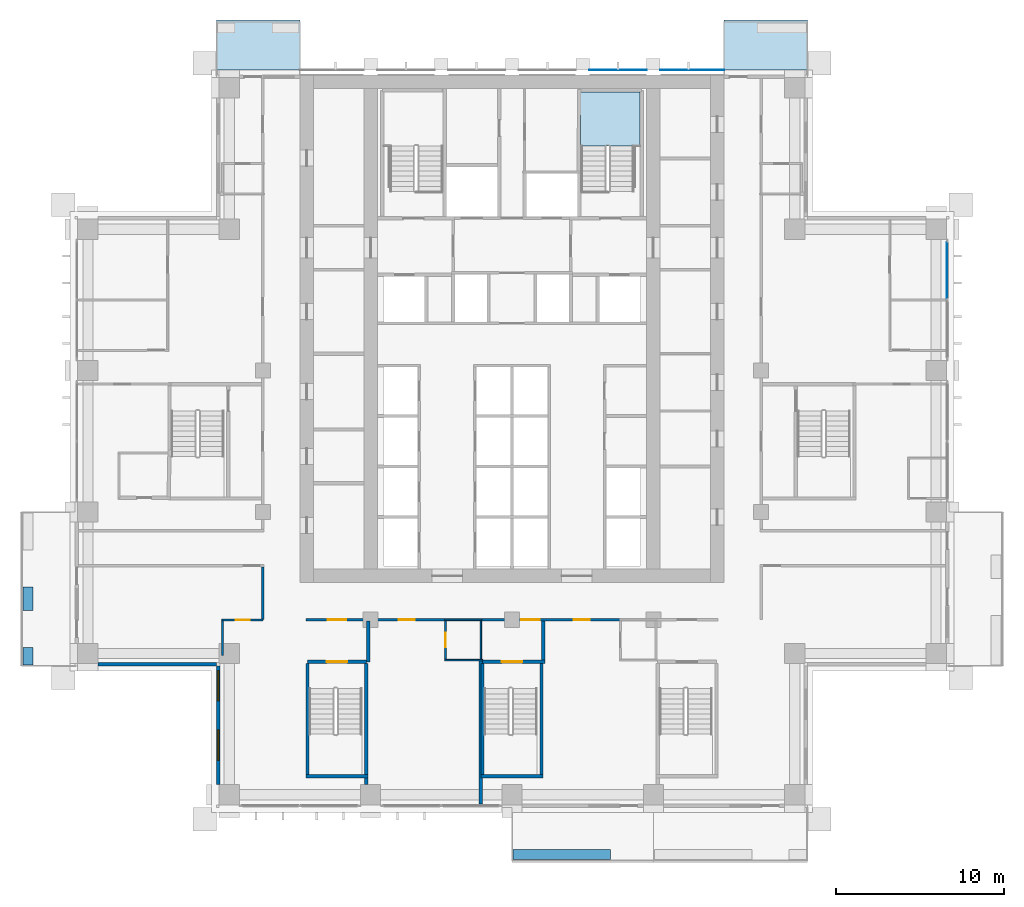
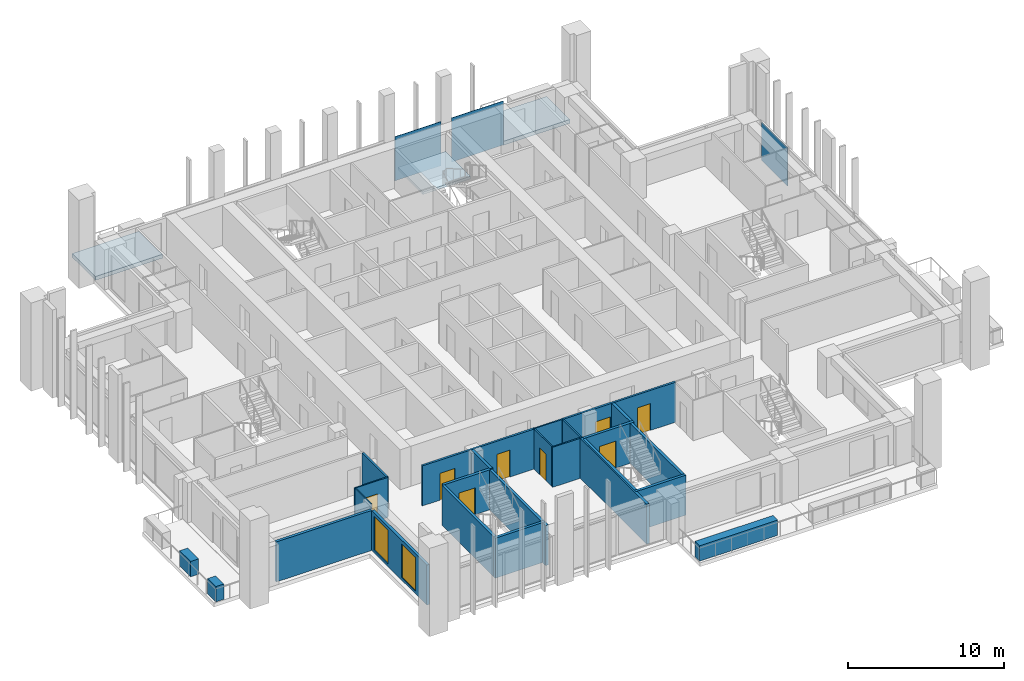
# One storey, part 8 of 19: 25 walls, 8 doors, 3 plates, 3 slabs, 2 windows, 10 openings, 2 elements without a shape of their own.
"""IFC4 building model written with IfcOpenShell, lengths in metres."""

import ifcopenshell
import ifcopenshell.guid

model = None  # the IFC model being written
_history = None  # IfcOwnerHistory: only IFC2X3 demands one
_inside = {}  # id of a spatial element -> (the spatial element, [elements in it])
_under = {}  # id of a project, library or spatial element -> (it, [spatial elements below it])
_declared = {}  # id of a project -> (the project, [libraries it declares])
_typed = {}  # id of a type object -> (the type object, [elements of that type])
_made_of = {}  # id of a material, layer set ... -> (it, [elements and type objects made of it])


def new_model(schema):
    """Start an empty IFC model of exactly this schema.

    Asked for "IFC4X3", IfcOpenShell would pick the latest addendum, in which some entities
    have other attributes; the version numbers below select the first issue.
    IFC2X3 requires an IfcOwnerHistory on every rooted entity: one is made here for all.
    """
    global model, _history
    if schema == "IFC4X3":
        model = ifcopenshell.file(schema_version=(4, 3, 0, 0))
    else:
        model = ifcopenshell.file(schema=schema)
    _inside.clear()
    _under.clear()
    _declared.clear()
    _typed.clear()
    _made_of.clear()
    _history = None
    if model.schema == "IFC2X3":
        org = make("IfcOrganization", Name="unknown")
        user = make(
            "IfcPersonAndOrganization",
            ThePerson=make("IfcPerson", FamilyName="unknown"),
            TheOrganization=org,
        )
        app = make(
            "IfcApplication",
            ApplicationDeveloper=org,
            Version="unknown",
            ApplicationFullName="unknown",
            ApplicationIdentifier="unknown",
        )
        _history = make(
            "IfcOwnerHistory",
            OwningUser=user,
            OwningApplication=app,
            ChangeAction="ADDED",
            CreationDate=0,
        )
    return model


def make(cls, **values):
    """One entity of the class cls with the attributes given. An attribute that is None is left unset."""
    return model.create_entity(
        cls, **{name: value for name, value in values.items() if value is not None}
    )


def rooted(cls, **values):
    """An entity with a GlobalId (a new one), such as an element, a storey or a relation."""
    return make(cls, GlobalId=ifcopenshell.guid.new(), OwnerHistory=_history, **values)


def si_unit(unit_type, name, prefix=None):
    """IfcSIUnit, for example si_unit("LENGTHUNIT", "METRE", prefix="MILLI")."""
    return make("IfcSIUnit", UnitType=unit_type, Prefix=prefix, Name=name)


def assignment(units):
    """IfcUnitAssignment: the units of a project."""
    return None if units is None else make("IfcUnitAssignment", Units=units)


def point(xyz):
    """IfcCartesianPoint."""
    return None if xyz is None else make("IfcCartesianPoint", Coordinates=xyz)


def direction(xyz):
    """IfcDirection."""
    return None if xyz is None else make("IfcDirection", DirectionRatios=xyz)


def frame(location, z_axis=None, x_axis=None):
    """IfcAxis2Placement3D, a coordinate frame: its origin and axes. An axis left out is left unset."""
    return make(
        "IfcAxis2Placement3D",
        Location=point(location),
        Axis=direction(z_axis),
        RefDirection=direction(x_axis),
    )


def frame_2d(location, x_axis=None):
    """IfcAxis2Placement2D, a coordinate frame in the plane: its origin and x axis."""
    return make(
        "IfcAxis2Placement2D", Location=point(location), RefDirection=direction(x_axis)
    )


def origin():
    """The frame at (0, 0, 0) with its axes left unset."""
    return frame((0.0, 0.0, 0.0))


def origin_2d():
    """The frame at (0, 0) in the plane with its x axis left unset."""
    return frame_2d((0.0, 0.0))


def place(relative_to, where):
    """IfcLocalPlacement: puts the frame where relative to a parent placement (None: the world)."""
    return make(
        "IfcLocalPlacement", PlacementRelTo=relative_to, RelativePlacement=where
    )


def context(
    kind, dimensions, precision=None, world=None, true_north=None, identifier=None
):
    """IfcGeometricRepresentationContext, for example the 3D "Model" context."""
    return make(
        "IfcGeometricRepresentationContext",
        ContextIdentifier=identifier,
        ContextType=kind,
        CoordinateSpaceDimension=dimensions,
        Precision=precision,
        WorldCoordinateSystem=world,
        TrueNorth=true_north,
    )


def subcontext(parent, identifier, kind, view, scale=None):
    """IfcGeometricRepresentationSubContext, for example "Body" below "Model"."""
    return make(
        "IfcGeometricRepresentationSubContext",
        ContextIdentifier=identifier,
        ContextType=kind,
        ParentContext=parent,
        TargetScale=scale,
        TargetView=view,
    )


def project(units=None, contexts=None):
    """IfcProject with its units and contexts."""
    return rooted(
        "IfcProject",
        Name="project",
        RepresentationContexts=contexts,
        UnitsInContext=assignment(units),
    )


def spatial(cls, under=None, at=None, **own):
    """A site, building, storey or space (cls), placed at a placement, below another one or the project."""
    s = rooted(cls, ObjectPlacement=at, **own)
    if under is not None:
        _under.setdefault(under.id(), (under, []))[1].append(s)
    return s


def polyline(points):
    """IfcPolyline through the points."""
    return make("IfcPolyline", Points=[point(p) for p in points])


def profile(cls, at=None, kind="AREA", **sizes):
    """A parametric profile (cls). Its sizes go by their IFC names, for example OverallWidth=200.0."""
    return make(cls, ProfileType=kind, Position=at, **sizes)


def rectangle(**sizes):
    """IfcRectangleProfileDef."""
    return profile("IfcRectangleProfileDef", **sizes)


def outline(outer, holes=None, kind="AREA"):
    """IfcArbitraryClosedProfileDef: a profile drawn as a closed curve; with holes, ...WithVoids."""
    if holes is None:
        return make("IfcArbitraryClosedProfileDef", ProfileType=kind, OuterCurve=outer)
    return make(
        "IfcArbitraryProfileDefWithVoids",
        ProfileType=kind,
        OuterCurve=outer,
        InnerCurves=holes,
    )


def extrude(swept, where, along, depth):
    """IfcExtrudedAreaSolid: the profile swept, set in the frame where, extruded along a direction by depth."""
    return make(
        "IfcExtrudedAreaSolid",
        SweptArea=swept,
        Position=where,
        ExtrudedDirection=direction(along),
        Depth=depth,
    )


def shape(context_of_items, identifier, shape_type, items):
    """IfcShapeRepresentation: the items that make up one representation, for example the "Body"."""
    return make(
        "IfcShapeRepresentation",
        ContextOfItems=context_of_items,
        RepresentationIdentifier=identifier,
        RepresentationType=shape_type,
        Items=items,
    )


def material(Name=None, Category=None):
    """IfcMaterial."""
    return make("IfcMaterial", Name=Name, Category=Category)


def layer(
    of_material, thickness, ventilated=None, Name=None, Category=None, Priority=None
):
    """IfcMaterialLayer: one layer of a wall or slab, of a material (None: an air gap)."""
    return make(
        "IfcMaterialLayer",
        Material=of_material,
        LayerThickness=thickness,
        IsVentilated=ventilated,
        Name=Name,
        Category=Category,
        Priority=Priority,
    )


def layer_set(layers, Name=None):
    """IfcMaterialLayerSet."""
    return make("IfcMaterialLayerSet", MaterialLayers=layers, LayerSetName=Name)


def made_of(thing, what):
    """Note that an element or type object is made of a material, layer set ...; save() writes the relation."""
    if what is not None:
        _made_of.setdefault(what.id(), (what, []))[1].append(thing)
    return thing


def type_object(cls, material=None, **own):
    """A type object (cls), such as IfcWallType, which elements share."""
    return made_of(rooted(cls, **own), material)


def element(
    cls,
    number,
    at=None,
    inside=None,
    cuts=None,
    type_object=None,
    material=None,
    context=None,
    identifier="Body",
    shape_type=None,
    held_by="IfcProductDefinitionShape",
    body=None,
    shapes=None,
    **own,
):
    """One element of the class cls, such as IfcWall. Its Tag is "e" and its number.

    at: its placement. inside: the storey or other place that contains it. cuts: it is an
    opening in that element (IfcRelVoidsElement). A single representation is given by context,
    identifier, shape_type and body (its items); several are given by shapes. held_by: the class
    of the entity that holds the representations. save() writes the other relations.
    """
    e = rooted(cls, Tag="e%d" % number, ObjectPlacement=at, **own)
    if body is not None:
        shapes = [shape(context, identifier, shape_type, body)]
    if shapes is not None:
        e.Representation = make(held_by, Representations=shapes)
    if inside is not None:
        _inside.setdefault(inside.id(), (inside, []))[1].append(e)
    if cuts is not None:
        rooted(
            "IfcRelVoidsElement", RelatingBuildingElement=cuts, RelatedOpeningElement=e
        )
    if type_object is not None:
        _typed.setdefault(type_object.id(), (type_object, []))[1].append(e)
    return made_of(e, material)


def fill(opening, filler):
    """IfcRelFillsElement: the door or window that sits in an opening."""
    return rooted(
        "IfcRelFillsElement",
        RelatingOpeningElement=opening,
        RelatedBuildingElement=filler,
    )


def aggregate(whole, parts):
    """IfcRelAggregates: a whole, such as a stair, and the parts it consists of."""
    return rooted("IfcRelAggregates", RelatingObject=whole, RelatedObjects=parts)


def save(model, path):
    """Write the relations noted so far, then the file.

    IfcRelAggregates (storeys below a building ...), IfcRelContainedInSpatialStructure (elements
    in a storey), IfcRelDefinesByType, IfcRelAssociatesMaterial and IfcRelDeclares: one each for
    every whole, place, type object, material and project.
    """
    for whole, parts in _under.values():
        aggregate(whole, parts)
    for where, things in _inside.values():
        rooted(
            "IfcRelContainedInSpatialStructure",
            RelatedElements=things,
            RelatingStructure=where,
        )
    for kind, things in _typed.values():
        rooted("IfcRelDefinesByType", RelatedObjects=things, RelatingType=kind)
    for what, things in _made_of.values():
        rooted("IfcRelAssociatesMaterial", RelatedObjects=things, RelatingMaterial=what)
    for by, libraries in _declared.values():
        rooted("IfcRelDeclares", RelatingContext=by, RelatedDefinitions=libraries)
    model.write(path)


model = new_model("IFC4")

# Units and contexts
model_context = context("Model", 3, precision=1e-05, world=origin(), true_north=direction((0.0, 1.0)))
body_context = subcontext(model_context, "Body", "Model", "MODEL_VIEW")
ifc_project = project(units=[si_unit("LENGTHUNIT", "METRE"), si_unit("AREAUNIT", "SQUARE_METRE"), si_unit("VOLUMEUNIT", "CUBIC_METRE"), si_unit("PLANEANGLEUNIT", "RADIAN"), si_unit("MASSUNIT", "GRAM", prefix="KILO")], contexts=[model_context])

# Site, building, storey
site_placement = place(None, origin())
site = spatial("IfcSite", under=ifc_project, at=site_placement, CompositionType="ELEMENT")
building_placement = place(site_placement, origin())
building = spatial("IfcBuilding", under=site, at=building_placement, Name="Vermilion Ogive Tower", CompositionType="ELEMENT")
storey_placement = place(building_placement, frame((0.0, 0.0, 90.75)))
storey = spatial("IfcBuildingStorey", under=building, at=storey_placement, Name="L22", CompositionType="ELEMENT", Elevation=90.75)

# Slabs
ifc_material_1 = material(Name="Concrete B40", Category="concrete")
ifc_layer_1 = layer(ifc_material_1, 0.300048828125)
ifc_layer_set_1 = layer_set([ifc_layer_1], Name="Balcony slab")
slab_type_1 = type_object("IfcSlabType", Name="Balcony slab", PredefinedType="FLOOR", material=ifc_layer_set_1)
slab_1_placement = place(storey_placement, frame((0.0, 0.0, -0.340087890625)))
element("IfcSlab", 1, at=slab_1_placement, inside=storey, type_object=slab_type_1, Name="Balcony slab N101", PredefinedType="FLOOR", context=body_context, shape_type="SweptSolid", body=[
    extrude(outline(polyline([(17.550048828125, 25.030029296875), (12.60009765625, 25.030029296875), (12.60009765625, 22.050048828125), (17.550048828125, 22.050048828125), (17.550048828125, 25.030029296875)])), origin(), (0.0, 0.0, 1.0), 0.300048828125),
])
slab_2_placement = place(storey_placement, frame((0.0, 0.0, -0.340087890625)))
element("IfcSlab", 2, at=slab_2_placement, inside=storey, type_object=slab_type_1, Name="Balcony slab N201", PredefinedType="FLOOR", context=body_context, shape_type="SweptSolid", body=[
    extrude(outline(polyline([(-12.60009765625, 25.030029296875), (-17.550048828125, 25.030029296875), (-17.550048828125, 22.050048828125), (-12.60009765625, 22.050048828125), (-12.60009765625, 25.030029296875)])), origin(), (0.0, 0.0, 1.0), 0.300048828125),
])

# Curtain wall, plate
ifc_material_2 = material(Name="Low-iron laminated glazing in aluminium frame", Category="aluminium")
curtain_wall_type = type_object("IfcCurtainWallType", Name="Curtain wall CW7", PredefinedType="NOTDEFINED", material=ifc_material_2)
curtain_wall_placement = place(storey_placement, origin())
curtain_wall = element("IfcCurtainWall", 3, at=curtain_wall_placement, inside=storey, type_object=curtain_wall_type, Name="Glazed skin E3", PredefinedType="NOTDEFINED")
ifc_material_3 = material(Name="Low-iron laminated glazing in aluminium frame", Category="aluminium")
ifc_layer_2 = layer(ifc_material_3, 0.031982421875)
ifc_layer_set_2 = layer_set([ifc_layer_2], Name="CW7 glazing panel 32")
plate_type_1 = type_object("IfcPlateType", Name="CW7 glazing panel 32", PredefinedType="CURTAIN_PANEL", material=ifc_layer_set_2)
plate_1_placement = place(storey_placement, frame((25.85009765625, 10.155029296875, 0.06005859375), z_axis=(0.0, 0.0, 1.0), x_axis=(0.0, 1.0, 0.0)))
plate_1 = element("IfcPlate", 4, at=plate_1_placement, type_object=plate_type_1, Name="CW7-E3 panel 2.1", PredefinedType="CURTAIN_PANEL", context=body_context, shape_type="SweptSolid", body=[
    extrude(rectangle(XDim=3.330078125, YDim=0.031982421875, at=origin_2d()), origin(), (0.0, 0.0, 1.0), 3.010009765625),
])
aggregate(curtain_wall, [plate_1])

# Plates
ifc_material_4 = material(Name="Low-iron laminated glazing in aluminium frame", Category="aluminium")
ifc_layer_3 = layer(ifc_material_4, 0.031982421875)
ifc_layer_set_3 = layer_set([ifc_layer_3], Name="Glazed rainscreen sheet 32")
plate_type_2 = type_object("IfcPlateType", Name="Glazed rainscreen sheet 32", PredefinedType="SHEET", material=ifc_layer_set_3)
plate_2_placement = place(storey_placement, frame((6.300048828125, 22.06591796875, -0.31982421875), z_axis=(0.0, 0.0, 1.0), x_axis=(1.0, 0.0, 0.0)))
element("IfcPlate", 5, at=plate_2_placement, inside=storey, type_object=plate_type_2, Name="Glazed rainscreen sheet N5", PredefinedType="SHEET", context=body_context, shape_type="SweptSolid", body=[
    extrude(rectangle(XDim=3.39990234375, YDim=0.031982421875, at=origin_2d()), origin(), (0.0, 0.0, 1.0), 3.449951171875),
])
plate_3_placement = place(storey_placement, frame((10.7099609375, 22.06591796875, -0.31982421875), z_axis=(0.0, 0.0, 1.0), x_axis=(1.0, 0.0, 0.0)))
element("IfcPlate", 6, at=plate_3_placement, inside=storey, type_object=plate_type_2, Name="Glazed rainscreen sheet N6", PredefinedType="SHEET", context=body_context, shape_type="SweptSolid", body=[
    extrude(rectangle(XDim=3.820068359375, YDim=0.031982421875, at=origin_2d()), origin(), (0.0, 0.0, 1.0), 3.449951171875),
])

# Stair, slab
ifc_material_5 = material(Name="Concrete B40", Category="concrete")
stair_type = type_object("IfcStairType", Name="Exit stair 1500", PredefinedType="HALF_TURN_STAIR", material=ifc_material_5)
stair_placement = place(storey_placement, origin())
stair = element("IfcStair", 7, at=stair_placement, inside=storey, type_object=stair_type, Name="L22 Exit Stair ST2", PredefinedType="HALF_TURN_STAIR")
ifc_material_6 = material(Name="Concrete B40", Category="concrete")
ifc_layer_4 = layer(ifc_material_6, 0.199951171875)
ifc_layer_set_4 = layer_set([ifc_layer_4], Name="Stair landing 200")
slab_type_2 = type_object("IfcSlabType", Name="Stair landing 200", PredefinedType="LANDING", material=ifc_layer_set_4)
slab_3_placement = place(storey_placement, frame((0.0, 0.0, 1.52490234375)))
slab_3 = element("IfcSlab", 8, at=slab_3_placement, type_object=slab_type_2, Name="ST2 landing 1", PredefinedType="LANDING", context=body_context, shape_type="SweptSolid", body=[
    extrude(outline(polyline([(5.60009765625, 17.550048828125), (5.75, 17.550048828125), (5.75, 17.548095703125), (7.25, 17.548095703125), (7.25, 17.550048828125), (7.60009765625, 17.550048828125), (7.60009765625, 20.75), (4.074951171875, 20.75), (4.074951171875, 17.550048828125), (4.10009765625, 17.550048828125), (4.10009765625, 17.548095703125), (5.60009765625, 17.548095703125), (5.60009765625, 17.550048828125)])), origin(), (0.0, 0.0, 1.0), 0.2001953125),
])
aggregate(stair, [slab_3])

# Wall
ifc_material_7 = material(Name="Gypsum board partition on steel studs", Category="steel")
ifc_layer_5 = layer(ifc_material_7, 0.10009765625)
ifc_layer_set_5 = layer_set([ifc_layer_5], Name="Partition 100 bath")
wall_type_1 = type_object("IfcWallType", Name="Partition 100 bath", PredefinedType="PARTITIONING", material=ifc_layer_set_5)
wall_1_placement = place(storey_placement, frame((-4.0, -13.0, 0.0), z_axis=(0.0, 0.0, 1.0), x_axis=(1.0, 0.0, 0.0)))
element("IfcWall", 9, at=wall_1_placement, inside=storey, type_object=wall_type_1, Name="L22-W-W005", PredefinedType="PARTITIONING", context=body_context, shape_type="SweptSolid", body=[
    extrude(rectangle(XDim=2.25, YDim=0.10009765625, at=frame_2d((1.125, 0.0))), origin(), (0.0, 0.0, 1.0), 3.1298828125),
])

# Wall, opening, door
wall_2_placement = place(storey_placement, frame((-17.25, -10.6201171875, 0.0), z_axis=(0.0, 0.0, 1.0), x_axis=(1.0, 0.0, 0.0)))
wall_2 = element("IfcWall", 10, at=wall_2_placement, inside=storey, type_object=wall_type_1, Name="L22-W-W007", PredefinedType="PARTITIONING", context=body_context, shape_type="SweptSolid", body=[
    extrude(rectangle(XDim=2.449951171875, YDim=0.10009765625, at=frame_2d((1.22509765625, 0.0))), origin(), (0.0, 0.0, 1.0), 3.1298828125),
])
opening_1_placement = place(wall_2_placement, frame((0.824951171875, 0.0, 0.0)))
opening_1 = element("IfcOpeningElement", 11, at=opening_1_placement, cuts=wall_2, Name="Opening D2G2002", PredefinedType="OPENING", context=body_context, shape_type="SweptSolid", body=[
    extrude(rectangle(XDim=0.85009765625, YDim=2.10009765625, at=frame_2d((0.425048828125, 1.050048828125))), frame((0.0, 0.06005859375, 0.0), z_axis=(0.0, -1.0, 0.0), x_axis=(1.0, 0.0, 0.0)), (0.0, 0.0, 1.0), 0.1201171875),
])
ifc_material_8 = material(Name="Timber door leaf", Category="wood")
door_type_1 = type_object("IfcDoorType", Name="Bath door 850 x 2100 FD30", OperationType="SINGLE_SWING_LEFT", PredefinedType="DOOR", material=ifc_material_8)
door_1_placement = place(opening_1_placement, origin())
door_1 = element("IfcDoor", 12, at=door_1_placement, inside=storey, type_object=door_type_1, Name="L22-D-D002", OperationType="SINGLE_SWING_RIGHT", OverallHeight=2.10009765625, OverallWidth=0.85009765625, PredefinedType="DOOR", context=body_context, shape_type="SweptSolid", body=[
    extrude(rectangle(XDim=0.85009765625, YDim=2.10009765625, at=frame_2d((0.425048828125, 1.050048828125))), frame((0.0, 0.02490234375, 0.0), z_axis=(0.0, -1.0, 0.0), x_axis=(1.0, 0.0, 0.0)), (0.0, 0.0, 1.0), 0.050048828125),
])
fill(opening_1, door_1)

# Walls
wall_3_placement = place(storey_placement, frame((-4.0, -10.60009765625, 0.0), z_axis=(0.0, 0.0, 1.0), x_axis=(1.0, 0.0, 0.0)))
element("IfcWall", 13, at=wall_3_placement, inside=storey, type_object=wall_type_1, Name="L22-W-W009", PredefinedType="PARTITIONING", context=body_context, shape_type="SweptSolid", body=[
    extrude(rectangle(XDim=2.199951171875, YDim=0.10009765625, at=frame_2d((1.10009765625, 0.0))), origin(), (0.0, 0.0, 1.0), 3.1298828125),
])
wall_4_placement = place(storey_placement, frame((-17.199951171875, -12.719970703125, 0.0), z_axis=(0.0, 0.0, 1.0), x_axis=(0.0, 1.0, 0.0)))
element("IfcWall", 14, at=wall_4_placement, inside=storey, type_object=wall_type_1, Name="L22-W-W041", PredefinedType="PARTITIONING", context=body_context, shape_type="SweptSolid", body=[
    extrude(rectangle(XDim=2.050048828125, YDim=0.10009765625, at=frame_2d((1.02490234375, 0.0))), origin(), (0.0, 0.0, 1.0), 3.1298828125),
])

# Wall, opening, door
wall_5_placement = place(storey_placement, frame((-3.949951171875, -12.949951171875, 0.0), z_axis=(0.0, 0.0, 1.0), x_axis=(0.0, 1.0, 0.0)))
wall_5 = element("IfcWall", 15, at=wall_5_placement, inside=storey, type_object=wall_type_1, Name="L22-W-W049", PredefinedType="PARTITIONING", context=body_context, shape_type="SweptSolid", body=[
    extrude(rectangle(XDim=2.27490234375, YDim=0.10009765625, at=frame_2d((1.137451171875, 0.0))), origin(), (0.0, 0.0, 1.0), 3.1298828125),
])
opening_2_placement = place(wall_5_placement, frame((0.724853515625, 0.0, 0.0)))
opening_2 = element("IfcOpeningElement", 16, at=opening_2_placement, cuts=wall_5, Name="Opening D2G2011", PredefinedType="OPENING", context=body_context, shape_type="SweptSolid", body=[
    extrude(rectangle(XDim=0.85009765625, YDim=2.10009765625, at=frame_2d((0.425048828125, 1.050048828125))), frame((0.0, 0.06005859375, 0.0), z_axis=(0.0, -1.0, 0.0), x_axis=(1.0, 0.0, 0.0)), (0.0, 0.0, 1.0), 0.1201171875),
])
door_2_placement = place(opening_2_placement, origin())
door_2 = element("IfcDoor", 17, at=door_2_placement, inside=storey, type_object=door_type_1, Name="L22-D-D011", OperationType="SINGLE_SWING_RIGHT", OverallHeight=2.10009765625, OverallWidth=0.85009765625, PredefinedType="DOOR", context=body_context, shape_type="SweptSolid", body=[
    extrude(rectangle(XDim=0.85009765625, YDim=2.10009765625, at=frame_2d((0.425048828125, 1.050048828125))), frame((0.0, 0.02490234375, 0.0), z_axis=(0.0, -1.0, 0.0), x_axis=(1.0, 0.0, 0.0)), (0.0, 0.0, 1.0), 0.050048828125),
])
fill(opening_2, door_2)

# Wall
wall_6_placement = place(storey_placement, frame((-1.85009765625, -12.949951171875, 0.0), z_axis=(0.0, 0.0, 1.0), x_axis=(0.0, 1.0, 0.0)))
element("IfcWall", 18, at=wall_6_placement, inside=storey, type_object=wall_type_1, Name="L22-W-W051", PredefinedType="PARTITIONING", context=body_context, shape_type="SweptSolid", body=[
    extrude(rectangle(XDim=2.27490234375, YDim=0.10009765625, at=frame_2d((1.137451171875, 0.0))), origin(), (0.0, 0.0, 1.0), 3.1298828125),
])

# Wall, openings, doors
ifc_material_9 = material(Name="Gypsum board partition on steel studs", Category="steel")
ifc_layer_6 = layer(ifc_material_9, 0.14990234375)
ifc_layer_set_6 = layer_set([ifc_layer_6], Name="Partition 150 corridor")
wall_type_2 = type_object("IfcWallType", Name="Partition 150 corridor", PredefinedType="PARTITIONING", material=ifc_layer_set_6)
wall_7_placement = place(storey_placement, frame((-12.25, -10.60009765625, 0.0), z_axis=(0.0, 0.0, 1.0), x_axis=(1.0, 0.0, 0.0)))
wall_7 = element("IfcWall", 19, at=wall_7_placement, inside=storey, type_object=wall_type_2, Name="L22-W-W008", PredefinedType="PARTITIONING", context=body_context, shape_type="SweptSolid", body=[
    extrude(rectangle(XDim=8.35009765625, YDim=0.14990234375, at=frame_2d((4.175048828125, 0.0))), origin(), (0.0, 0.0, 1.0), 3.1298828125),
])
opening_3_placement = place(wall_7_placement, frame((5.52490234375, 0.0, 0.0)))
opening_3 = element("IfcOpeningElement", 20, at=opening_3_placement, cuts=wall_7, Name="Opening D2G2010", PredefinedType="OPENING", context=body_context, shape_type="SweptSolid", body=[
    extrude(rectangle(XDim=0.949951171875, YDim=2.10009765625, at=frame_2d((0.47509765625, 1.050048828125))), frame((0.0, 0.0849609375, 0.0), z_axis=(0.0, -1.0, 0.0), x_axis=(1.0, 0.0, 0.0)), (0.0, 0.0, 1.0), 0.169921875),
])
opening_4_placement = place(wall_7_placement, frame((1.300048828125, 0.0, 0.0)))
opening_4 = element("IfcOpeningElement", 21, at=opening_4_placement, cuts=wall_7, Name="Opening D2G2022", PredefinedType="OPENING", context=body_context, shape_type="SweptSolid", body=[
    extrude(rectangle(XDim=1.10009765625, YDim=2.10009765625, at=frame_2d((0.550048828125, 1.050048828125))), frame((0.0, 0.0849609375, 0.0), z_axis=(0.0, -1.0, 0.0), x_axis=(1.0, 0.0, 0.0)), (0.0, 0.0, 1.0), 0.169921875),
])
ifc_material_10 = material(Name="Timber door leaf", Category="wood")
door_type_2 = type_object("IfcDoorType", Name="Stair door 1100 x 2100 FD60S", OperationType="SINGLE_SWING_LEFT", PredefinedType="DOOR", material=ifc_material_10)
door_3_placement = place(opening_4_placement, origin())
door_3 = element("IfcDoor", 22, at=door_3_placement, inside=storey, type_object=door_type_2, Name="L22-D-D022", OperationType="SINGLE_SWING_RIGHT", OverallHeight=2.10009765625, OverallWidth=1.10009765625, PredefinedType="DOOR", context=body_context, shape_type="SweptSolid", body=[
    extrude(rectangle(XDim=1.10009765625, YDim=2.10009765625, at=frame_2d((0.550048828125, 1.050048828125))), frame((0.0, 0.02490234375, 0.0), z_axis=(0.0, -1.0, 0.0), x_axis=(1.0, 0.0, 0.0)), (0.0, 0.0, 1.0), 0.050048828125),
])
fill(opening_4, door_3)
ifc_material_11 = material(Name="Timber door leaf", Category="wood")
door_type_3 = type_object("IfcDoorType", Name="Unit door 950 x 2100 FD30S", OperationType="SINGLE_SWING_LEFT", PredefinedType="DOOR", material=ifc_material_11)
door_4_placement = place(opening_3_placement, origin())
door_4 = element("IfcDoor", 23, at=door_4_placement, inside=storey, type_object=door_type_3, Name="L22-D-D010", OperationType="SINGLE_SWING_LEFT", OverallHeight=2.10009765625, OverallWidth=0.949951171875, PredefinedType="DOOR", context=body_context, shape_type="SweptSolid", body=[
    extrude(rectangle(XDim=0.949951171875, YDim=2.10009765625, at=frame_2d((0.47509765625, 1.050048828125))), frame((0.0, 0.02490234375, 0.0), z_axis=(0.0, -1.0, 0.0), x_axis=(1.0, 0.0, 0.0)), (0.0, 0.0, 1.0), 0.050048828125),
])
fill(opening_3, door_4)

wall_8_placement = place(storey_placement, frame((-1.89990234375, -10.60009765625, 0.0), z_axis=(0.0, 0.0, 1.0), x_axis=(1.0, 0.0, 0.0)))
wall_8 = element("IfcWall", 24, at=wall_8_placement, inside=storey, type_object=wall_type_2, Name="L22-W-W010", PredefinedType="PARTITIONING", context=body_context, shape_type="SweptSolid", body=[
    extrude(rectangle(XDim=8.39990234375, YDim=0.14990234375, at=frame_2d((4.199951171875, 0.0))), origin(), (0.0, 0.0, 1.0), 3.1298828125),
])
opening_5_placement = place(wall_8_placement, frame((5.574951171875, 0.0, 0.0)))
opening_5 = element("IfcOpeningElement", 25, at=opening_5_placement, cuts=wall_8, Name="Opening D2G2012", PredefinedType="OPENING", context=body_context, shape_type="SweptSolid", body=[
    extrude(rectangle(XDim=0.949951171875, YDim=2.10009765625, at=frame_2d((0.47509765625, 1.050048828125))), frame((0.0, 0.0849609375, 0.0), z_axis=(0.0, -1.0, 0.0), x_axis=(1.0, 0.0, 0.0)), (0.0, 0.0, 1.0), 0.169921875),
])
opening_6_placement = place(wall_8_placement, frame((2.449951171875, 0.0, 0.0)))
opening_6 = element("IfcOpeningElement", 26, at=opening_6_placement, cuts=wall_8, Name="Opening D2G2024", PredefinedType="OPENING", context=body_context, shape_type="SweptSolid", body=[
    extrude(rectangle(XDim=1.10009765625, YDim=2.10009765625, at=frame_2d((0.550048828125, 1.050048828125))), frame((0.0, 0.0849609375, 0.0), z_axis=(0.0, -1.0, 0.0), x_axis=(1.0, 0.0, 0.0)), (0.0, 0.0, 1.0), 0.169921875),
])
door_5_placement = place(opening_6_placement, origin())
door_5 = element("IfcDoor", 27, at=door_5_placement, inside=storey, type_object=door_type_2, Name="L22-D-D024", OperationType="SINGLE_SWING_LEFT", OverallHeight=2.10009765625, OverallWidth=1.10009765625, PredefinedType="DOOR", context=body_context, shape_type="SweptSolid", body=[
    extrude(rectangle(XDim=1.10009765625, YDim=2.10009765625, at=frame_2d((0.550048828125, 1.050048828125))), frame((0.0, 0.02490234375, 0.0), z_axis=(0.0, -1.0, 0.0), x_axis=(1.0, 0.0, 0.0)), (0.0, 0.0, 1.0), 0.050048828125),
])
fill(opening_6, door_5)
door_6_placement = place(opening_5_placement, origin())
door_6 = element("IfcDoor", 28, at=door_6_placement, inside=storey, type_object=door_type_3, Name="L22-D-D012", OperationType="SINGLE_SWING_LEFT", OverallHeight=2.10009765625, OverallWidth=0.949951171875, PredefinedType="DOOR", context=body_context, shape_type="SweptSolid", body=[
    extrude(rectangle(XDim=0.949951171875, YDim=2.10009765625, at=frame_2d((0.47509765625, 1.050048828125))), frame((0.0, 0.02490234375, 0.0), z_axis=(0.0, -1.0, 0.0), x_axis=(1.0, 0.0, 0.0)), (0.0, 0.0, 1.0), 0.050048828125),
])
fill(opening_5, door_6)

# Walls
wall_9_placement = place(storey_placement, frame((-14.800048828125, -10.60009765625, 0.0), z_axis=(0.0, 0.0, 1.0), x_axis=(0.0, 1.0, 0.0)))
element("IfcWall", 29, at=wall_9_placement, inside=storey, type_object=wall_type_2, Name="L22-W-W044", PredefinedType="PARTITIONING", context=body_context, shape_type="SweptSolid", body=[
    extrude(rectangle(XDim=3.125, YDim=0.14990234375, at=frame_2d((1.5625, 0.0))), origin(), (0.0, 0.0, 1.0), 3.1298828125),
])
ifc_material_12 = material(Name="Gypsum board partition on steel studs", Category="steel")
ifc_layer_7 = layer(ifc_material_12, 0.199951171875)
ifc_layer_set_7 = layer_set([ifc_layer_7], Name="Partition 200 party")
wall_type_3 = type_object("IfcWallType", Name="Partition 200 party", PredefinedType="PARTITIONING", material=ifc_layer_set_7)
wall_10_placement = place(storey_placement, frame((-8.550048828125, -13.10009765625, 0.0), z_axis=(0.0, 0.0, 1.0), x_axis=(0.0, 1.0, 0.0)))
element("IfcWall", 30, at=wall_10_placement, inside=storey, type_object=wall_type_3, Name="L22-W-W048", PredefinedType="PARTITIONING", context=body_context, shape_type="SweptSolid", body=[
    extrude(rectangle(XDim=2.425048828125, YDim=0.199951171875, at=frame_2d((1.21240234375, 0.0))), origin(), (0.0, 0.0, 1.0), 3.1298828125),
])
wall_11_placement = place(storey_placement, frame((1.85009765625, -12.998046875, 0.0), z_axis=(0.0, 0.0, 1.0), x_axis=(0.0, 1.0, 0.0)))
element("IfcWall", 31, at=wall_11_placement, inside=storey, type_object=wall_type_3, Name="L22-W-W054", PredefinedType="PARTITIONING", context=body_context, shape_type="SweptSolid", body=[
    extrude(rectangle(XDim=2.322998046875, YDim=0.199951171875, at=frame_2d((1.16162109375, 0.0))), origin(), (0.0, 0.0, 1.0), 3.1298828125),
])
ifc_material_13 = material(Name="Concrete B60", Category="concrete")
ifc_layer_8 = layer(ifc_material_13, 0.199951171875)
ifc_layer_set_8 = layer_set([ifc_layer_8], Name="Stair shaft wall 200 Concrete B60")
wall_type_4 = type_object("IfcWallType", Name="Stair shaft wall 200 Concrete B60", PredefinedType="SOLIDWALL", material=ifc_layer_set_8)
wall_12_placement = place(storey_placement, frame((-1.847900390625, -19.89990234375, 0.0), z_axis=(0.0, 0.0, 1.0), x_axis=(1.0, 0.0, 0.0)))
element("IfcWall", 32, at=wall_12_placement, inside=storey, type_object=wall_type_4, Name="L22-W-W001", PredefinedType="SOLIDWALL", context=body_context, shape_type="SweptSolid", body=[
    extrude(rectangle(XDim=3.69580078125, YDim=0.199951171875, at=frame_2d((1.847900390625, 0.0))), origin(), (0.0, 0.0, 1.0), 3.1298828125),
])

# Wall, opening, door
wall_13_placement = place(storey_placement, frame((-12.14990234375, -13.10009765625, 0.0), z_axis=(0.0, 0.0, 1.0), x_axis=(1.0, 0.0, 0.0)))
wall_13 = element("IfcWall", 33, at=wall_13_placement, inside=storey, type_object=wall_type_4, Name="L22-W-W002", PredefinedType="SOLIDWALL", context=body_context, shape_type="SweptSolid", body=[
    extrude(rectangle(XDim=3.5, YDim=0.199951171875, at=frame_2d((1.75, 0.0))), origin(), (0.0, 0.0, 1.0), 3.1298828125),
])
opening_7_placement = place(wall_13_placement, frame((1.14990234375, 0.0, 0.0)))
opening_7 = element("IfcOpeningElement", 34, at=opening_7_placement, cuts=wall_13, Name="Opening D2G2023", PredefinedType="OPENING", context=body_context, shape_type="SweptSolid", body=[
    extrude(rectangle(XDim=1.199951171875, YDim=2.10009765625, at=frame_2d((0.60009765625, 1.050048828125))), frame((0.0, 0.10986328125, 0.0), z_axis=(0.0, -1.0, 0.0), x_axis=(1.0, 0.0, 0.0)), (0.0, 0.0, 1.0), 0.219970703125),
])
ifc_material_14 = material(Name="Timber door leaf", Category="wood")
door_type_4 = type_object("IfcDoorType", Name="Stair door 1200 x 2100 FD60S", OperationType="SINGLE_SWING_LEFT", PredefinedType="DOOR", material=ifc_material_14)
door_7_placement = place(opening_7_placement, origin())
door_7 = element("IfcDoor", 35, at=door_7_placement, inside=storey, type_object=door_type_4, Name="L22-D-D023", OperationType="SINGLE_SWING_RIGHT", OverallHeight=2.10009765625, OverallWidth=1.199951171875, PredefinedType="DOOR", context=body_context, shape_type="SweptSolid", body=[
    extrude(rectangle(XDim=1.199951171875, YDim=2.10009765625, at=frame_2d((0.60009765625, 1.050048828125))), frame((0.0, 0.02490234375, 0.0), z_axis=(0.0, -1.0, 0.0), x_axis=(1.0, 0.0, 0.0)), (0.0, 0.0, 1.0), 0.050048828125),
])
fill(opening_7, door_7)

wall_14_placement = place(storey_placement, frame((-1.748046875, -13.10009765625, 0.0), z_axis=(0.0, 0.0, 1.0), x_axis=(1.0, 0.0, 0.0)))
wall_14 = element("IfcWall", 36, at=wall_14_placement, inside=storey, type_object=wall_type_4, Name="L22-W-W003", PredefinedType="SOLIDWALL", context=body_context, shape_type="SweptSolid", body=[
    extrude(rectangle(XDim=3.696044921875, YDim=0.199951171875, at=frame_2d((1.84814453125, 0.0))), origin(), (0.0, 0.0, 1.0), 3.1298828125),
])
opening_8_placement = place(wall_14_placement, frame((1.14794921875, 0.0, 0.0)))
opening_8 = element("IfcOpeningElement", 37, at=opening_8_placement, cuts=wall_14, Name="Opening D2G2025", PredefinedType="OPENING", context=body_context, shape_type="SweptSolid", body=[
    extrude(rectangle(XDim=1.199951171875, YDim=2.10009765625, at=frame_2d((0.60009765625, 1.050048828125))), frame((0.0, 0.10986328125, 0.0), z_axis=(0.0, -1.0, 0.0), x_axis=(1.0, 0.0, 0.0)), (0.0, 0.0, 1.0), 0.219970703125),
])
door_8_placement = place(opening_8_placement, origin())
door_8 = element("IfcDoor", 38, at=door_8_placement, inside=storey, type_object=door_type_4, Name="L22-D-D025", OperationType="SINGLE_SWING_RIGHT", OverallHeight=2.10009765625, OverallWidth=1.199951171875, PredefinedType="DOOR", context=body_context, shape_type="SweptSolid", body=[
    extrude(rectangle(XDim=1.199951171875, YDim=2.10009765625, at=frame_2d((0.60009765625, 1.050048828125))), frame((0.0, 0.02490234375, 0.0), z_axis=(0.0, -1.0, 0.0), x_axis=(1.0, 0.0, 0.0)), (0.0, 0.0, 1.0), 0.050048828125),
])
fill(opening_8, door_8)

# Walls
for number, where, z_axis, x_axis, name in (
    (39, (-1.75, -19.798095703125, 0.0), (0.0, 0.0, 1.0), (0.0, 1.0, 0.0), "L22-W-W052"),
    (40, (1.75, -19.798095703125, 0.0), (0.0, 0.0, 1.0), (0.0, 1.0, 0.0), "L22-W-W053"),
):
    element("IfcWall", number, at=place(storey_placement, frame(where, z_axis=z_axis, x_axis=x_axis)), inside=storey, type_object=wall_type_4, Name=name, PredefinedType="SOLIDWALL", context=body_context, shape_type="SweptSolid", body=[
        extrude(rectangle(XDim=6.59619140625, YDim=0.199951171875, at=frame_2d((3.298095703125, 0.0))), origin(), (0.0, 0.0, 1.0), 3.1298828125),
    ])
wall_15_placement = place(storey_placement, frame((-12.25, -19.89990234375, 0.0), z_axis=(0.0, 0.0, 1.0), x_axis=(1.0, 0.0, 0.0)))
element("IfcWall", 41, at=wall_15_placement, inside=storey, type_object=wall_type_4, Name="L22-SW-ST3-S1", PredefinedType="SOLIDWALL", context=body_context, shape_type="SweptSolid", body=[
    extrude(rectangle(XDim=3.699951171875, YDim=0.199951171875, at=frame_2d((1.85009765625, 0.0))), origin(), (0.0, 0.0, 1.0), 3.1298828125),
])
wall_16_placement = place(storey_placement, frame((-12.14990234375, -19.800048828125, 0.0), z_axis=(0.0, 0.0, 1.0), x_axis=(0.0, 1.0, 0.0)))
element("IfcWall", 42, at=wall_16_placement, inside=storey, type_object=wall_type_4, Name="L22-SW-ST3-W1", PredefinedType="SOLIDWALL", context=body_context, shape_type="SweptSolid", body=[
    extrude(rectangle(XDim=6.60009765625, YDim=0.199951171875, at=frame_2d((3.300048828125, 0.0))), origin(), (0.0, 0.0, 1.0), 3.1298828125),
])
wall_17_placement = place(storey_placement, frame((-8.64990234375, -20.39990234375, 0.0), z_axis=(0.0, 0.0, 1.0), x_axis=(0.0, 1.0, 0.0)))
element("IfcWall", 43, at=wall_17_placement, inside=storey, type_object=wall_type_4, Name="L22-SW-ST3-E1", PredefinedType="SOLIDWALL", context=body_context, shape_type="SweptSolid", body=[
    extrude(rectangle(XDim=7.199951171875, YDim=0.199951171875, at=frame_2d((3.60009765625, 0.0))), origin(), (0.0, 0.0, 1.0), 3.1298828125),
])
wall_18_placement = place(storey_placement, frame((-1.85009765625, -21.550048828125, 0.0), z_axis=(0.0, 0.0, 1.0), x_axis=(0.0, 1.0, 0.0)))
element("IfcWall", 44, at=wall_18_placement, inside=storey, type_object=wall_type_4, Name="L22-W-W050-A", PredefinedType="SOLIDWALL", context=body_context, shape_type="SweptSolid", body=[
    extrude(rectangle(XDim=8.5, YDim=0.199951171875, at=frame_2d((4.25, 0.0))), origin(), (0.0, 0.0, 1.0), 3.1298828125),
])
ifc_material_15 = material(Name="Concrete B40", Category="concrete")
ifc_layer_9 = layer(ifc_material_15, 0.60009765625)
ifc_layer_set_9 = layer_set([ifc_layer_9], Name="Structural planter")
wall_type_5 = type_object("IfcWallType", Name="Structural planter", PredefinedType="USERDEFINED", material=ifc_layer_set_9)
wall_19_placement = place(storey_placement, frame((0.06005859375, -24.550048828125, -0.0400390625), z_axis=(0.0, 0.0, 1.0), x_axis=(1.0, 0.0, 0.0)))
element("IfcWall", 45, at=wall_19_placement, inside=storey, type_object=wall_type_5, Name="Planter S03A1", ObjectType="PLANTER", PredefinedType="USERDEFINED", context=body_context, shape_type="SweptSolid", body=[
    extrude(rectangle(XDim=5.7900390625, YDim=0.60009765625, at=frame_2d((2.89501953125, 0.0))), origin(), (0.0, 0.0, 1.0), 1.199951171875),
])
wall_20_placement = place(storey_placement, frame((-28.75, -8.64990234375, -0.0400390625), z_axis=(0.0, 0.0, 1.0), x_axis=(0.0, -1.0, 0.0)))
element("IfcWall", 46, at=wall_20_placement, inside=storey, type_object=wall_type_5, Name="Planter W03A2", ObjectType="PLANTER", PredefinedType="USERDEFINED", context=body_context, shape_type="SweptSolid", body=[
    extrude(rectangle(XDim=1.400146484375, YDim=0.60009765625, at=frame_2d((0.7001953125, 0.0))), origin(), (0.0, 0.0, 1.0), 1.199951171875),
])
wall_21_placement = place(storey_placement, frame((-28.75, -12.25, -0.0400390625), z_axis=(0.0, 0.0, 1.0), x_axis=(0.0, -1.0, 0.0)))
element("IfcWall", 47, at=wall_21_placement, inside=storey, type_object=wall_type_5, Name="Planter W03A3", ObjectType="PLANTER", PredefinedType="USERDEFINED", context=body_context, shape_type="SweptSolid", body=[
    extrude(rectangle(XDim=1.0400390625, YDim=0.60009765625, at=frame_2d((0.52001953125, 0.0))), origin(), (0.0, 0.0, 1.0), 1.199951171875),
])
ifc_material_16 = material(Name="Aluminium window wall framing", Category="aluminium")
ifc_layer_10 = layer(ifc_material_16, 0.199951171875)
ifc_layer_set_10 = layer_set([ifc_layer_10], Name="Window wall")
wall_type_6 = type_object("IfcWallType", Name="Window wall", PredefinedType="STANDARD", material=ifc_layer_set_10)
wall_22_placement = place(storey_placement, frame((-24.60009765625, -13.25, 0.0), z_axis=(0.0, 0.0, 1.0), x_axis=(1.0, 0.0, 0.0)))
element("IfcWall", 48, at=wall_22_placement, inside=storey, type_object=wall_type_6, Name="Window wall X71", PredefinedType="STANDARD", context=body_context, shape_type="SweptSolid", body=[
    extrude(rectangle(XDim=7.050048828125, YDim=0.199951171875, at=frame_2d((3.52490234375, 0.0))), origin(), (0.0, 0.0, 1.0), 3.1298828125),
])

# Wall, openings, windows
wall_23_placement = place(storey_placement, frame((-17.449951171875, -13.35009765625, 0.0), z_axis=(0.0, 0.0, 1.0), x_axis=(0.0, -1.0, 0.0)))
wall_23 = element("IfcWall", 49, at=wall_23_placement, inside=storey, type_object=wall_type_6, Name="Window wall X81", PredefinedType="STANDARD", context=body_context, shape_type="SweptSolid", body=[
    extrude(rectangle(XDim=7.0498046875, YDim=0.199951171875, at=frame_2d((3.52490234375, 0.0))), origin(), (0.0, 0.0, 1.0), 3.1298828125),
])
opening_9_placement = place(wall_23_placement, frame((3.800048828125, 0.0, 0.199951171875)))
opening_9 = element("IfcOpeningElement", 50, at=opening_9_placement, cuts=wall_23, Name="Opening W1-X895", PredefinedType="OPENING", context=body_context, shape_type="SweptSolid", body=[
    extrude(rectangle(XDim=1.800048828125, YDim=2.64990234375, at=frame_2d((0.89990234375, 1.324951171875))), frame((0.0, 0.10986328125, 0.0), z_axis=(0.0, -1.0, 0.0), x_axis=(1.0, 0.0, 0.0)), (0.0, 0.0, 1.0), 0.219970703125),
])
opening_10_placement = place(wall_23_placement, frame((0.27490234375, 0.0, 0.199951171875)))
opening_10 = element("IfcOpeningElement", 51, at=opening_10_placement, cuts=wall_23, Name="Opening W1-X896", PredefinedType="OPENING", context=body_context, shape_type="SweptSolid", body=[
    extrude(rectangle(XDim=1.800048828125, YDim=2.64990234375, at=frame_2d((0.89990234375, 1.324951171875))), frame((0.0, 0.10986328125, 0.0), z_axis=(0.0, -1.0, 0.0), x_axis=(1.0, 0.0, 0.0)), (0.0, 0.0, 1.0), 0.219970703125),
])
ifc_material_17 = material(Name="Aluminium framed double glazing", Category="aluminium")
window_type = type_object("IfcWindowType", Name="Guest window W1", PartitioningType="SINGLE_PANEL", PredefinedType="WINDOW", material=ifc_material_17)
window_1_placement = place(opening_9_placement, origin())
window_1 = element("IfcWindow", 52, at=window_1_placement, inside=storey, type_object=window_type, Name="Window X895", OverallHeight=2.64990234375, OverallWidth=1.800048828125, PartitioningType="SINGLE_PANEL", PredefinedType="WINDOW", context=body_context, shape_type="SweptSolid", body=[
    extrude(rectangle(XDim=1.800048828125, YDim=2.64990234375, at=frame_2d((0.89990234375, 1.324951171875))), frame((0.0, 0.030029296875, 0.0), z_axis=(0.0, -1.0, 0.0), x_axis=(1.0, 0.0, 0.0)), (0.0, 0.0, 1.0), 0.06005859375),
])
fill(opening_9, window_1)
window_2_placement = place(opening_10_placement, origin())
window_2 = element("IfcWindow", 53, at=window_2_placement, inside=storey, type_object=window_type, Name="Window X896", OverallHeight=2.64990234375, OverallWidth=1.800048828125, PartitioningType="SINGLE_PANEL", PredefinedType="WINDOW", context=body_context, shape_type="SweptSolid", body=[
    extrude(rectangle(XDim=1.800048828125, YDim=2.64990234375, at=frame_2d((0.89990234375, 1.324951171875))), frame((0.0, 0.030029296875, 0.0), z_axis=(0.0, -1.0, 0.0), x_axis=(1.0, 0.0, 0.0)), (0.0, 0.0, 1.0), 0.06005859375),
])
fill(opening_10, window_2)

save(model, "model.ifc")
